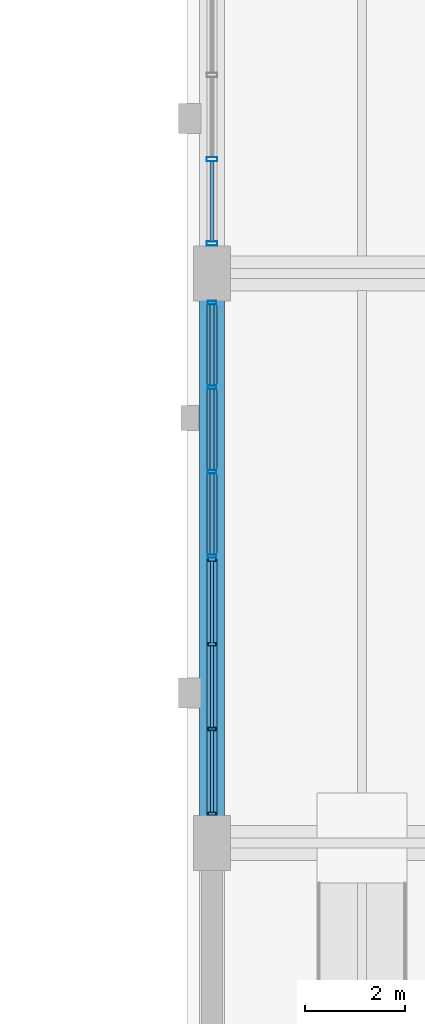
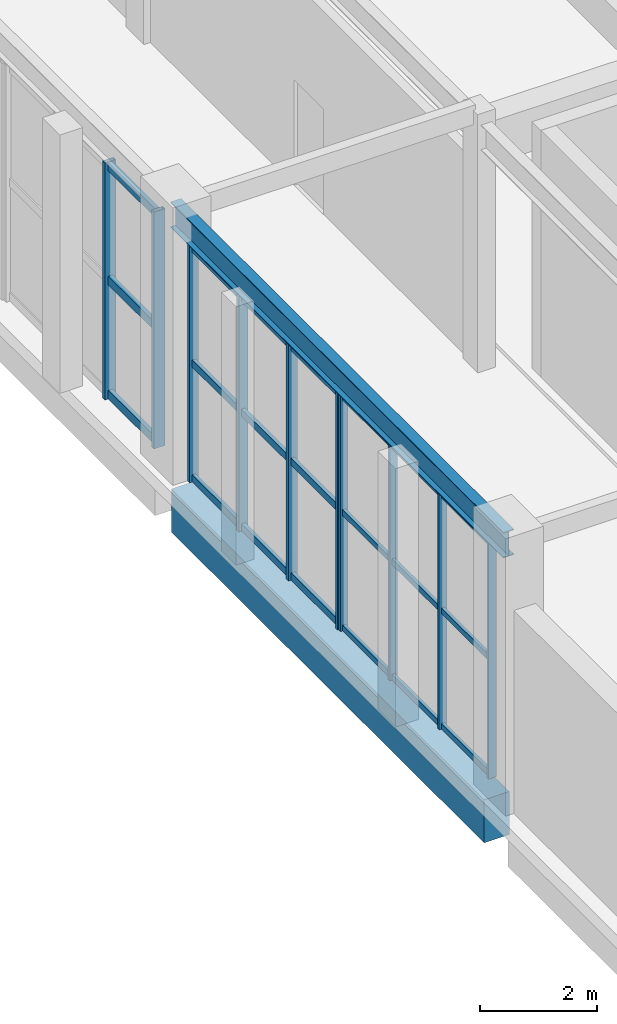
# One storey, part 44 of 113: 31 members, 2 beams, 3 elements without a shape of their own.
"""IFC4 building model written with IfcOpenShell, lengths in metres."""

from ifc_helpers import new_model, si_unit, direction, frame, origin, origin_2d, place, context, subcontext, project, spatial, rectangle, hollow_rectangle, i_section, extrude, material, layer, layer_set, material_profile, profile_set, type_object, element, aggregate, save


model = new_model("IFC4")

# Units and contexts
model_context = context("Model", 3, precision=1e-05, world=origin(), true_north=direction((0.0, 1.0)))
body_context = subcontext(model_context, "Body", "Model", "MODEL_VIEW")
ifc_project = project(units=[si_unit("LENGTHUNIT", "METRE"), si_unit("AREAUNIT", "SQUARE_METRE"), si_unit("VOLUMEUNIT", "CUBIC_METRE"), si_unit("PLANEANGLEUNIT", "RADIAN"), si_unit("MASSUNIT", "GRAM", prefix="KILO"), si_unit("POWERUNIT", "WATT"), si_unit("THERMODYNAMICTEMPERATUREUNIT", "KELVIN")], contexts=[model_context])

# Site, building, storey
site_placement = place(None, origin())
site = spatial("IfcSite", under=ifc_project, at=site_placement, CompositionType="ELEMENT")
building_placement = place(site_placement, origin())
building = spatial("IfcBuilding", under=site, at=building_placement, Name="Kelmbourne Parkland Aquatics Centre", CompositionType="ELEMENT")
storey_placement = place(building_placement, origin())
storey = spatial("IfcBuildingStorey", under=building, at=storey_placement, Name="L00", CompositionType="ELEMENT", Elevation=0.0)

# Beams
ifc_material_1 = material(Name="Concrete C40/50", Category="concrete")
ifc_material_profile_1 = material_profile(ifc_material_1, rectangle(XDim=0.5, YDim=0.89990234375, at=origin_2d()), Name="RC 500x900")
ifc_profile_set_1 = profile_set([ifc_material_profile_1], Name="Concrete C40/50")
beam_type_1 = type_object("IfcBeamType", Name="BM-G03", PredefinedType="BEAM", material=ifc_profile_set_1)
beam_1_placement = place(storey_placement, frame((96.0, 35.405029296875, -0.72998046875), z_axis=(0.0, 1.0, 0.0), x_axis=(-1.0, 0.0, 0.0)))
element("IfcBeam", 1, at=beam_1_placement, inside=storey, type_object=beam_type_1, Name="Primary girder 05-06 Grid L (L00)", PredefinedType="BEAM", context=body_context, shape_type="SweptSolid", body=[
    extrude(rectangle(XDim=0.5, YDim=0.89990234375, at=origin_2d()), origin(), (0.0, 0.0, 1.0), 10.715087890625),
])
ifc_material_2 = material(Name="Structural steel AS/NZS 3679.1 Grade 300", Category="steel")
ifc_material_profile_2 = material_profile(ifc_material_2, i_section(OverallWidth=0.208984375, OverallDepth=0.532958984375, WebThickness=0.01025390625, FlangeThickness=0.015625, at=origin_2d()), Name="530UB92.4")
ifc_profile_set_2 = profile_set([ifc_material_profile_2], Name="Structural steel AS/NZS 3679.1 Grade 300")
beam_type_2 = type_object("IfcBeamType", Name="BM-SP02", PredefinedType="SPANDREL", material=ifc_profile_set_2)
beam_2_placement = place(storey_placement, frame((96.0, 35.0, 5.2333984375), z_axis=(0.0, 1.0, 0.0), x_axis=(-1.0, 0.0, 0.0)))
element("IfcBeam", 2, at=beam_2_placement, inside=storey, type_object=beam_type_2, Name="Perimeter spandrel 05-06 Grid L (L01_COL)", PredefinedType="SPANDREL", context=body_context, shape_type="SweptSolid", body=[
    extrude(i_section(OverallWidth=0.208984375, OverallDepth=0.532958984375, WebThickness=0.01025390625, FlangeThickness=0.015625, at=origin_2d()), origin(), (0.0, 0.0, 1.0), 11.39990234375),
])

# Curtain wall, members
ifc_material_3 = material(Name="Thermally broken anodised aluminium framing", Category="aluminium")
ifc_layer_1 = layer(ifc_material_3, 0.179931640625)
ifc_layer_set_1 = layer_set([ifc_layer_1], Name="Thermally broken anodised aluminium framing")
curtain_wall_type_1 = type_object("IfcCurtainWallType", Name="CW-12", PredefinedType="NOTDEFINED", material=ifc_layer_set_1)
curtain_wall_1_placement = place(storey_placement, origin())
curtain_wall_1 = element("IfcCurtainWall", 3, at=curtain_wall_1_placement, inside=storey, type_object=curtain_wall_type_1, Name="Facade curtain wall CW-L00-180", PredefinedType="NOTDEFINED")
ifc_material_profile_3 = material_profile(ifc_material_3, hollow_rectangle(XDim=0.06494140625, YDim=0.14990234375, WallThickness=0.00390625, at=origin_2d()), Name="CW-M 65x150")
ifc_profile_set_3 = profile_set([ifc_material_profile_3], Name="Thermally broken anodised aluminium framing")
member_type_1 = type_object("IfcMemberType", Name="MB-MUL-1", PredefinedType="MULLION", material=ifc_profile_set_3)
member_1_placement = place(storey_placement, frame((96.0, 35.58447265625, 0.0), z_axis=(0.0, 0.0, 1.0), x_axis=(0.0, 1.0, 0.0)))
member_1 = element("IfcMember", 4, at=member_1_placement, type_object=member_type_1, Name="CW-L00-180 mullion 0", PredefinedType="MULLION", context=body_context, shape_type="SweptSolid", body=[
    extrude(hollow_rectangle(XDim=0.06494140625, YDim=0.14990234375, WallThickness=0.00390625, at=origin_2d()), origin(), (0.0, 0.0, 1.0), 4.951904296875),
])
member_2_placement = place(storey_placement, frame((96.0, 37.27880859375, 0.0), z_axis=(0.0, 0.0, 1.0), x_axis=(0.0, 1.0, 0.0)))
member_2 = element("IfcMember", 5, at=member_2_placement, type_object=member_type_1, Name="CW-L00-180 mullion 1", PredefinedType="MULLION", context=body_context, shape_type="SweptSolid", body=[
    extrude(hollow_rectangle(XDim=0.06494140625, YDim=0.14990234375, WallThickness=0.00390625, at=origin_2d()), origin(), (0.0, 0.0, 1.0), 4.951904296875),
])
member_3_placement = place(storey_placement, frame((96.0, 38.97314453125, 0.0), z_axis=(0.0, 0.0, 1.0), x_axis=(0.0, 1.0, 0.0)))
member_3 = element("IfcMember", 6, at=member_3_placement, type_object=member_type_1, Name="CW-L00-180 mullion 2", PredefinedType="MULLION", context=body_context, shape_type="SweptSolid", body=[
    extrude(hollow_rectangle(XDim=0.06494140625, YDim=0.14990234375, WallThickness=0.00390625, at=origin_2d()), origin(), (0.0, 0.0, 1.0), 4.951904296875),
])
member_4_placement = place(storey_placement, frame((96.0, 40.66748046875, 0.0), z_axis=(0.0, 0.0, 1.0), x_axis=(0.0, 1.0, 0.0)))
member_4 = element("IfcMember", 7, at=member_4_placement, type_object=member_type_1, Name="CW-L00-180 mullion 3", PredefinedType="MULLION", context=body_context, shape_type="SweptSolid", body=[
    extrude(hollow_rectangle(XDim=0.06494140625, YDim=0.14990234375, WallThickness=0.00390625, at=origin_2d()), origin(), (0.0, 0.0, 1.0), 4.951904296875),
])

ifc_layer_2 = layer(ifc_material_3, 0.179931640625)
ifc_layer_set_2 = layer_set([ifc_layer_2], Name="Thermally broken anodised aluminium framing")
curtain_wall_type_2 = type_object("IfcCurtainWallType", Name="CW-13", PredefinedType="NOTDEFINED", material=ifc_layer_set_2)
curtain_wall_2_placement = place(storey_placement, origin())
curtain_wall_2 = element("IfcCurtainWall", 8, at=curtain_wall_2_placement, inside=storey, type_object=curtain_wall_type_2, Name="Facade curtain wall CW-L00-181", PredefinedType="NOTDEFINED")
ifc_material_profile_4 = material_profile(ifc_material_3, hollow_rectangle(XDim=0.074951171875, YDim=0.179931640625, WallThickness=0.00439453125, at=origin_2d()), Name="CW-M 75x180")
ifc_profile_set_4 = profile_set([ifc_material_profile_4], Name="Thermally broken anodised aluminium framing")
member_type_2 = type_object("IfcMemberType", Name="MB-MUL-2", PredefinedType="MULLION", material=ifc_profile_set_4)
member_5_placement = place(storey_placement, frame((96.0, 40.737548828125, 0.0), z_axis=(0.0, 0.0, 1.0), x_axis=(0.0, 1.0, 0.0)))
member_5 = element("IfcMember", 9, at=member_5_placement, type_object=member_type_2, Name="CW-L00-181 mullion 0", PredefinedType="MULLION", context=body_context, shape_type="SweptSolid", body=[
    extrude(hollow_rectangle(XDim=0.074951171875, YDim=0.179931640625, WallThickness=0.00439453125, at=origin_2d()), origin(), (0.0, 0.0, 1.0), 4.951904296875),
])
member_6_placement = place(storey_placement, frame((96.0, 42.428466796875, 0.0), z_axis=(0.0, 0.0, 1.0), x_axis=(0.0, 1.0, 0.0)))
member_6 = element("IfcMember", 10, at=member_6_placement, type_object=member_type_2, Name="CW-L00-181 mullion 1", PredefinedType="MULLION", context=body_context, shape_type="SweptSolid", body=[
    extrude(hollow_rectangle(XDim=0.074951171875, YDim=0.179931640625, WallThickness=0.00439453125, at=origin_2d()), origin(), (0.0, 0.0, 1.0), 4.951904296875),
])
member_7_placement = place(storey_placement, frame((96.0, 44.119384765625, 0.0), z_axis=(0.0, 0.0, 1.0), x_axis=(0.0, 1.0, 0.0)))
member_7 = element("IfcMember", 11, at=member_7_placement, type_object=member_type_2, Name="CW-L00-181 mullion 2", PredefinedType="MULLION", context=body_context, shape_type="SweptSolid", body=[
    extrude(hollow_rectangle(XDim=0.074951171875, YDim=0.179931640625, WallThickness=0.00439453125, at=origin_2d()), origin(), (0.0, 0.0, 1.0), 4.951904296875),
])
member_8_placement = place(storey_placement, frame((96.0, 45.810546875, 0.0), z_axis=(0.0, 0.0, 1.0), x_axis=(0.0, 1.0, 0.0)))
member_8 = element("IfcMember", 12, at=member_8_placement, type_object=member_type_2, Name="CW-L00-181 mullion 3", PredefinedType="MULLION", context=body_context, shape_type="SweptSolid", body=[
    extrude(hollow_rectangle(XDim=0.074951171875, YDim=0.179931640625, WallThickness=0.00439453125, at=origin_2d()), origin(), (0.0, 0.0, 1.0), 4.951904296875),
])

ifc_layer_3 = layer(ifc_material_3, 0.179931640625)
ifc_layer_set_3 = layer_set([ifc_layer_3], Name="Thermally broken anodised aluminium framing")
curtain_wall_type_3 = type_object("IfcCurtainWallType", Name="CW-14", PredefinedType="NOTDEFINED", material=ifc_layer_set_3)
curtain_wall_3_placement = place(storey_placement, origin())
curtain_wall_3 = element("IfcCurtainWall", 13, at=curtain_wall_3_placement, inside=storey, type_object=curtain_wall_type_3, Name="Facade curtain wall CW-L00-182", PredefinedType="NOTDEFINED")
ifc_material_profile_5 = material_profile(ifc_material_3, hollow_rectangle(XDim=0.0849609375, YDim=0.219970703125, WallThickness=0.0048828125, at=origin_2d()), Name="CW-M 85x220")
ifc_profile_set_5 = profile_set([ifc_material_profile_5], Name="Thermally broken anodised aluminium framing")
member_type_3 = type_object("IfcMemberType", Name="MB-MUL-3", PredefinedType="MULLION", material=ifc_profile_set_5)
member_9_placement = place(storey_placement, frame((96.0, 46.994384765625, 0.0), z_axis=(0.0, 0.0, 1.0), x_axis=(0.0, 1.0, 0.0)))
member_9 = element("IfcMember", 14, at=member_9_placement, type_object=member_type_3, Name="CW-L00-182 mullion 0", PredefinedType="MULLION", context=body_context, shape_type="SweptSolid", body=[
    extrude(hollow_rectangle(XDim=0.0849609375, YDim=0.219970703125, WallThickness=0.0048828125, at=origin_2d()), origin(), (0.0, 0.0, 1.0), 4.951904296875),
])
member_10_placement = place(storey_placement, frame((96.0, 48.68212890625, 0.0), z_axis=(0.0, 0.0, 1.0), x_axis=(0.0, 1.0, 0.0)))
member_10 = element("IfcMember", 15, at=member_10_placement, type_object=member_type_3, Name="CW-L00-182 mullion 1", PredefinedType="MULLION", context=body_context, shape_type="SweptSolid", body=[
    extrude(hollow_rectangle(XDim=0.0849609375, YDim=0.219970703125, WallThickness=0.0048828125, at=origin_2d()), origin(), (0.0, 0.0, 1.0), 4.951904296875),
])

# Member
ifc_material_profile_6 = material_profile(ifc_material_3, hollow_rectangle(XDim=0.06494140625, YDim=0.1201171875, WallThickness=0.00341796875, at=origin_2d()), Name="CW-T 65x120")
ifc_profile_set_6 = profile_set([ifc_material_profile_6], Name="Thermally broken anodised aluminium framing")
member_type_4 = type_object("IfcMemberType", Name="MB-TRN-1", PredefinedType="USERDEFINED", material=ifc_profile_set_6)
member_11_placement = place(storey_placement, frame((96.0, 35.613037109375, 0.06298828125), z_axis=(0.0, 1.0, 0.0), x_axis=(-1.0, 0.0, 0.0)))
member_11 = element("IfcMember", 16, at=member_11_placement, type_object=member_type_4, Name="CW-L00-180 transom 0-0", ObjectType="TRANSOM", PredefinedType="USERDEFINED", context=body_context, shape_type="SweptSolid", body=[
    extrude(hollow_rectangle(XDim=0.06494140625, YDim=0.1201171875, WallThickness=0.00341796875, at=origin_2d()), origin(), (0.0, 0.0, 1.0), 1.63720703125),
])

member_12_placement = place(storey_placement, frame((96.0, 37.307373046875, 0.06298828125), z_axis=(0.0, 1.0, 0.0), x_axis=(-1.0, 0.0, 0.0)))
member_12 = element("IfcMember", 17, at=member_12_placement, type_object=member_type_4, Name="CW-L00-180 transom 0-1", ObjectType="TRANSOM", PredefinedType="USERDEFINED", context=body_context, shape_type="SweptSolid", body=[
    extrude(hollow_rectangle(XDim=0.06494140625, YDim=0.1201171875, WallThickness=0.00341796875, at=origin_2d()), origin(), (0.0, 0.0, 1.0), 1.63720703125),
])

member_13_placement = place(storey_placement, frame((96.0, 39.001708984375, 0.06298828125), z_axis=(0.0, 1.0, 0.0), x_axis=(-1.0, 0.0, 0.0)))
member_13 = element("IfcMember", 18, at=member_13_placement, type_object=member_type_4, Name="CW-L00-180 transom 0-2", ObjectType="TRANSOM", PredefinedType="USERDEFINED", context=body_context, shape_type="SweptSolid", body=[
    extrude(hollow_rectangle(XDim=0.06494140625, YDim=0.1201171875, WallThickness=0.00341796875, at=origin_2d()), origin(), (0.0, 0.0, 1.0), 1.63720703125),
])

member_14_placement = place(storey_placement, frame((96.0, 35.613037109375, 2.47607421875), z_axis=(0.0, 1.0, 0.0), x_axis=(-1.0, 0.0, 0.0)))
member_14 = element("IfcMember", 19, at=member_14_placement, type_object=member_type_4, Name="CW-L00-180 transom 1-0", ObjectType="TRANSOM", PredefinedType="USERDEFINED", context=body_context, shape_type="SweptSolid", body=[
    extrude(hollow_rectangle(XDim=0.06494140625, YDim=0.1201171875, WallThickness=0.00341796875, at=origin_2d()), origin(), (0.0, 0.0, 1.0), 1.63720703125),
])

member_15_placement = place(storey_placement, frame((96.0, 37.307373046875, 2.47607421875), z_axis=(0.0, 1.0, 0.0), x_axis=(-1.0, 0.0, 0.0)))
member_15 = element("IfcMember", 20, at=member_15_placement, type_object=member_type_4, Name="CW-L00-180 transom 1-1", ObjectType="TRANSOM", PredefinedType="USERDEFINED", context=body_context, shape_type="SweptSolid", body=[
    extrude(hollow_rectangle(XDim=0.06494140625, YDim=0.1201171875, WallThickness=0.00341796875, at=origin_2d()), origin(), (0.0, 0.0, 1.0), 1.63720703125),
])

member_16_placement = place(storey_placement, frame((96.0, 39.001708984375, 2.47607421875), z_axis=(0.0, 1.0, 0.0), x_axis=(-1.0, 0.0, 0.0)))
member_16 = element("IfcMember", 21, at=member_16_placement, type_object=member_type_4, Name="CW-L00-180 transom 1-2", ObjectType="TRANSOM", PredefinedType="USERDEFINED", context=body_context, shape_type="SweptSolid", body=[
    extrude(hollow_rectangle(XDim=0.06494140625, YDim=0.1201171875, WallThickness=0.00341796875, at=origin_2d()), origin(), (0.0, 0.0, 1.0), 1.63720703125),
])

member_17_placement = place(storey_placement, frame((96.0, 35.613037109375, 4.888916015625), z_axis=(0.0, 1.0, 0.0), x_axis=(-1.0, 0.0, 0.0)))
member_17 = element("IfcMember", 22, at=member_17_placement, type_object=member_type_4, Name="CW-L00-180 transom 2-0", ObjectType="TRANSOM", PredefinedType="USERDEFINED", context=body_context, shape_type="SweptSolid", body=[
    extrude(hollow_rectangle(XDim=0.06494140625, YDim=0.1201171875, WallThickness=0.00341796875, at=origin_2d()), origin(), (0.0, 0.0, 1.0), 1.63720703125),
])

member_18_placement = place(storey_placement, frame((96.0, 37.307373046875, 4.888916015625), z_axis=(0.0, 1.0, 0.0), x_axis=(-1.0, 0.0, 0.0)))
member_18 = element("IfcMember", 23, at=member_18_placement, type_object=member_type_4, Name="CW-L00-180 transom 2-1", ObjectType="TRANSOM", PredefinedType="USERDEFINED", context=body_context, shape_type="SweptSolid", body=[
    extrude(hollow_rectangle(XDim=0.06494140625, YDim=0.1201171875, WallThickness=0.00341796875, at=origin_2d()), origin(), (0.0, 0.0, 1.0), 1.63720703125),
])

member_19_placement = place(storey_placement, frame((96.0, 39.001708984375, 4.888916015625), z_axis=(0.0, 1.0, 0.0), x_axis=(-1.0, 0.0, 0.0)))
member_19 = element("IfcMember", 24, at=member_19_placement, type_object=member_type_4, Name="CW-L00-180 transom 2-2", ObjectType="TRANSOM", PredefinedType="USERDEFINED", context=body_context, shape_type="SweptSolid", body=[
    extrude(hollow_rectangle(XDim=0.06494140625, YDim=0.1201171875, WallThickness=0.00341796875, at=origin_2d()), origin(), (0.0, 0.0, 1.0), 1.63720703125),
])

aggregate(curtain_wall_1, [member_1, member_2, member_3, member_4, member_11, member_12, member_13, member_14, member_15, member_16, member_17, member_18, member_19])

ifc_material_profile_7 = material_profile(ifc_material_3, hollow_rectangle(XDim=0.074951171875, YDim=0.14990234375, WallThickness=0.00390625, at=origin_2d()), Name="CW-T 75x150")
ifc_profile_set_7 = profile_set([ifc_material_profile_7], Name="Thermally broken anodised aluminium framing")
member_type_5 = type_object("IfcMemberType", Name="MB-TRN-2", PredefinedType="USERDEFINED", material=ifc_profile_set_7)
member_20_placement = place(storey_placement, frame((96.0, 40.77099609375, 0.077880859375), z_axis=(0.0, 1.0, 0.0), x_axis=(-1.0, 0.0, 0.0)))
member_20 = element("IfcMember", 25, at=member_20_placement, type_object=member_type_5, Name="CW-L00-181 transom 0-0", ObjectType="TRANSOM", PredefinedType="USERDEFINED", context=body_context, shape_type="SweptSolid", body=[
    extrude(hollow_rectangle(XDim=0.074951171875, YDim=0.14990234375, WallThickness=0.00390625, at=origin_2d()), origin(), (0.0, 0.0, 1.0), 1.6240234375),
])

member_21_placement = place(storey_placement, frame((96.0, 42.4619140625, 0.077880859375), z_axis=(0.0, 1.0, 0.0), x_axis=(-1.0, 0.0, 0.0)))
member_21 = element("IfcMember", 26, at=member_21_placement, type_object=member_type_5, Name="CW-L00-181 transom 0-1", ObjectType="TRANSOM", PredefinedType="USERDEFINED", context=body_context, shape_type="SweptSolid", body=[
    extrude(hollow_rectangle(XDim=0.074951171875, YDim=0.14990234375, WallThickness=0.00390625, at=origin_2d()), origin(), (0.0, 0.0, 1.0), 1.6240234375),
])

member_22_placement = place(storey_placement, frame((96.0, 44.153076171875, 0.077880859375), z_axis=(0.0, 1.0, 0.0), x_axis=(-1.0, 0.0, 0.0)))
member_22 = element("IfcMember", 27, at=member_22_placement, type_object=member_type_5, Name="CW-L00-181 transom 0-2", ObjectType="TRANSOM", PredefinedType="USERDEFINED", context=body_context, shape_type="SweptSolid", body=[
    extrude(hollow_rectangle(XDim=0.074951171875, YDim=0.14990234375, WallThickness=0.00390625, at=origin_2d()), origin(), (0.0, 0.0, 1.0), 1.6240234375),
])

member_23_placement = place(storey_placement, frame((96.0, 40.77099609375, 2.47607421875), z_axis=(0.0, 1.0, 0.0), x_axis=(-1.0, 0.0, 0.0)))
member_23 = element("IfcMember", 28, at=member_23_placement, type_object=member_type_5, Name="CW-L00-181 transom 1-0", ObjectType="TRANSOM", PredefinedType="USERDEFINED", context=body_context, shape_type="SweptSolid", body=[
    extrude(hollow_rectangle(XDim=0.074951171875, YDim=0.14990234375, WallThickness=0.00390625, at=origin_2d()), origin(), (0.0, 0.0, 1.0), 1.6240234375),
])

member_24_placement = place(storey_placement, frame((96.0, 42.4619140625, 2.47607421875), z_axis=(0.0, 1.0, 0.0), x_axis=(-1.0, 0.0, 0.0)))
member_24 = element("IfcMember", 29, at=member_24_placement, type_object=member_type_5, Name="CW-L00-181 transom 1-1", ObjectType="TRANSOM", PredefinedType="USERDEFINED", context=body_context, shape_type="SweptSolid", body=[
    extrude(hollow_rectangle(XDim=0.074951171875, YDim=0.14990234375, WallThickness=0.00390625, at=origin_2d()), origin(), (0.0, 0.0, 1.0), 1.6240234375),
])

member_25_placement = place(storey_placement, frame((96.0, 44.153076171875, 2.47607421875), z_axis=(0.0, 1.0, 0.0), x_axis=(-1.0, 0.0, 0.0)))
member_25 = element("IfcMember", 30, at=member_25_placement, type_object=member_type_5, Name="CW-L00-181 transom 1-2", ObjectType="TRANSOM", PredefinedType="USERDEFINED", context=body_context, shape_type="SweptSolid", body=[
    extrude(hollow_rectangle(XDim=0.074951171875, YDim=0.14990234375, WallThickness=0.00390625, at=origin_2d()), origin(), (0.0, 0.0, 1.0), 1.6240234375),
])

member_26_placement = place(storey_placement, frame((96.0, 40.77099609375, 4.8740234375), z_axis=(0.0, 1.0, 0.0), x_axis=(-1.0, 0.0, 0.0)))
member_26 = element("IfcMember", 31, at=member_26_placement, type_object=member_type_5, Name="CW-L00-181 transom 2-0", ObjectType="TRANSOM", PredefinedType="USERDEFINED", context=body_context, shape_type="SweptSolid", body=[
    extrude(hollow_rectangle(XDim=0.074951171875, YDim=0.14990234375, WallThickness=0.00390625, at=origin_2d()), origin(), (0.0, 0.0, 1.0), 1.6240234375),
])

member_27_placement = place(storey_placement, frame((96.0, 42.4619140625, 4.8740234375), z_axis=(0.0, 1.0, 0.0), x_axis=(-1.0, 0.0, 0.0)))
member_27 = element("IfcMember", 32, at=member_27_placement, type_object=member_type_5, Name="CW-L00-181 transom 2-1", ObjectType="TRANSOM", PredefinedType="USERDEFINED", context=body_context, shape_type="SweptSolid", body=[
    extrude(hollow_rectangle(XDim=0.074951171875, YDim=0.14990234375, WallThickness=0.00390625, at=origin_2d()), origin(), (0.0, 0.0, 1.0), 1.6240234375),
])

member_28_placement = place(storey_placement, frame((96.0, 44.153076171875, 4.8740234375), z_axis=(0.0, 1.0, 0.0), x_axis=(-1.0, 0.0, 0.0)))
member_28 = element("IfcMember", 33, at=member_28_placement, type_object=member_type_5, Name="CW-L00-181 transom 2-2", ObjectType="TRANSOM", PredefinedType="USERDEFINED", context=body_context, shape_type="SweptSolid", body=[
    extrude(hollow_rectangle(XDim=0.074951171875, YDim=0.14990234375, WallThickness=0.00390625, at=origin_2d()), origin(), (0.0, 0.0, 1.0), 1.6240234375),
])

aggregate(curtain_wall_2, [member_5, member_6, member_7, member_8, member_20, member_21, member_22, member_23, member_24, member_25, member_26, member_27, member_28])

ifc_material_profile_8 = material_profile(ifc_material_3, hollow_rectangle(XDim=0.0849609375, YDim=0.179931640625, WallThickness=0.00439453125, at=origin_2d()), Name="CW-T 85x180")
ifc_profile_set_8 = profile_set([ifc_material_profile_8], Name="Thermally broken anodised aluminium framing")
member_type_6 = type_object("IfcMemberType", Name="MB-TRN-3", PredefinedType="USERDEFINED", material=ifc_profile_set_8)
member_29_placement = place(storey_placement, frame((96.0, 47.032958984375, 0.093017578125), z_axis=(0.0, 1.0, 0.0), x_axis=(-1.0, 0.0, 0.0)))
member_29 = element("IfcMember", 34, at=member_29_placement, type_object=member_type_6, Name="CW-L00-182 transom 0-0", ObjectType="TRANSOM", PredefinedType="USERDEFINED", context=body_context, shape_type="SweptSolid", body=[
    extrude(hollow_rectangle(XDim=0.0849609375, YDim=0.179931640625, WallThickness=0.00439453125, at=origin_2d()), origin(), (0.0, 0.0, 1.0), 1.61083984375),
])

member_30_placement = place(storey_placement, frame((96.0, 47.032958984375, 2.47607421875), z_axis=(0.0, 1.0, 0.0), x_axis=(-1.0, 0.0, 0.0)))
member_30 = element("IfcMember", 35, at=member_30_placement, type_object=member_type_6, Name="CW-L00-182 transom 1-0", ObjectType="TRANSOM", PredefinedType="USERDEFINED", context=body_context, shape_type="SweptSolid", body=[
    extrude(hollow_rectangle(XDim=0.0849609375, YDim=0.179931640625, WallThickness=0.00439453125, at=origin_2d()), origin(), (0.0, 0.0, 1.0), 1.61083984375),
])

member_31_placement = place(storey_placement, frame((96.0, 47.032958984375, 4.85888671875), z_axis=(0.0, 1.0, 0.0), x_axis=(-1.0, 0.0, 0.0)))
member_31 = element("IfcMember", 36, at=member_31_placement, type_object=member_type_6, Name="CW-L00-182 transom 2-0", ObjectType="TRANSOM", PredefinedType="USERDEFINED", context=body_context, shape_type="SweptSolid", body=[
    extrude(hollow_rectangle(XDim=0.0849609375, YDim=0.179931640625, WallThickness=0.00439453125, at=origin_2d()), origin(), (0.0, 0.0, 1.0), 1.61083984375),
])

aggregate(curtain_wall_3, [member_9, member_10, member_29, member_30, member_31])

save(model, "model.ifc")
